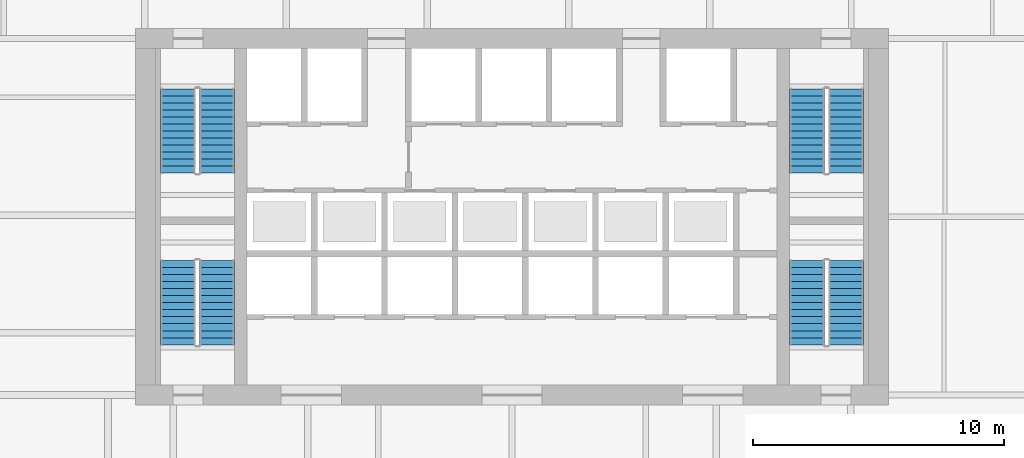
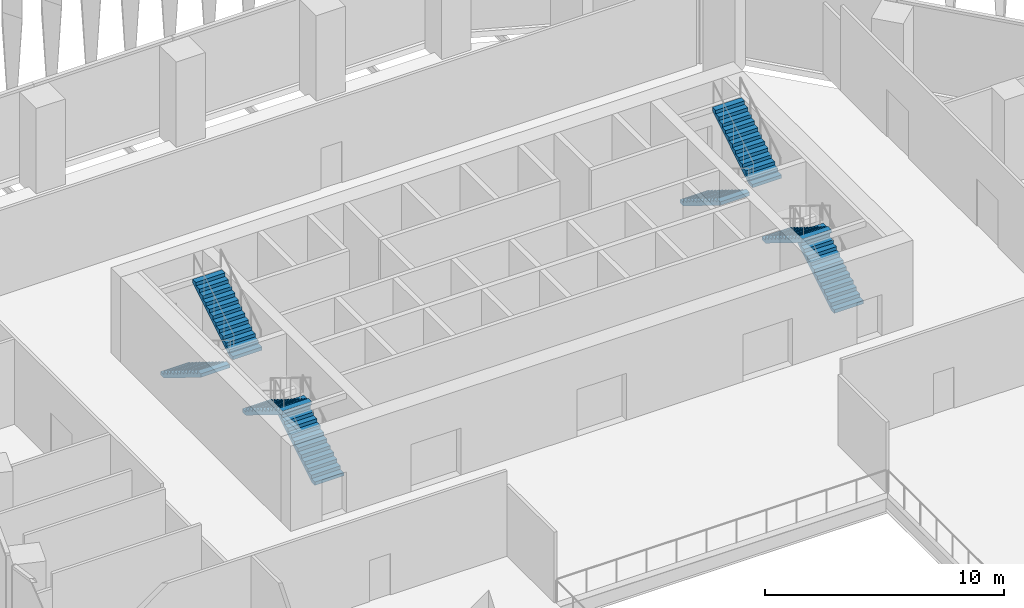
# One storey, part 16 of 27: 8 stair flights, 4 elements without a shape of their own.
"""IFC4 building model written with IfcOpenShell, lengths in metres."""

import ifcopenshell
import ifcopenshell.guid

model = None  # the IFC model being written
_history = None  # IfcOwnerHistory: only IFC2X3 demands one
_inside = {}  # id of a spatial element -> (the spatial element, [elements in it])
_under = {}  # id of a project, library or spatial element -> (it, [spatial elements below it])
_declared = {}  # id of a project -> (the project, [libraries it declares])
_typed = {}  # id of a type object -> (the type object, [elements of that type])
_made_of = {}  # id of a material, layer set ... -> (it, [elements and type objects made of it])


def new_model(schema):
    """Start an empty IFC model of exactly this schema.

    Asked for "IFC4X3", IfcOpenShell would pick the latest addendum, in which some entities
    have other attributes; the version numbers below select the first issue.
    IFC2X3 requires an IfcOwnerHistory on every rooted entity: one is made here for all.
    """
    global model, _history
    if schema == "IFC4X3":
        model = ifcopenshell.file(schema_version=(4, 3, 0, 0))
    else:
        model = ifcopenshell.file(schema=schema)
    _inside.clear()
    _under.clear()
    _declared.clear()
    _typed.clear()
    _made_of.clear()
    _history = None
    if model.schema == "IFC2X3":
        org = make("IfcOrganization", Name="unknown")
        user = make(
            "IfcPersonAndOrganization",
            ThePerson=make("IfcPerson", FamilyName="unknown"),
            TheOrganization=org,
        )
        app = make(
            "IfcApplication",
            ApplicationDeveloper=org,
            Version="unknown",
            ApplicationFullName="unknown",
            ApplicationIdentifier="unknown",
        )
        _history = make(
            "IfcOwnerHistory",
            OwningUser=user,
            OwningApplication=app,
            ChangeAction="ADDED",
            CreationDate=0,
        )
    return model


def make(cls, **values):
    """One entity of the class cls with the attributes given. An attribute that is None is left unset."""
    return model.create_entity(
        cls, **{name: value for name, value in values.items() if value is not None}
    )


def rooted(cls, **values):
    """An entity with a GlobalId (a new one), such as an element, a storey or a relation."""
    return make(cls, GlobalId=ifcopenshell.guid.new(), OwnerHistory=_history, **values)


def si_unit(unit_type, name, prefix=None):
    """IfcSIUnit, for example si_unit("LENGTHUNIT", "METRE", prefix="MILLI")."""
    return make("IfcSIUnit", UnitType=unit_type, Prefix=prefix, Name=name)


def assignment(units):
    """IfcUnitAssignment: the units of a project."""
    return None if units is None else make("IfcUnitAssignment", Units=units)


def point(xyz):
    """IfcCartesianPoint."""
    return None if xyz is None else make("IfcCartesianPoint", Coordinates=xyz)


def direction(xyz):
    """IfcDirection."""
    return None if xyz is None else make("IfcDirection", DirectionRatios=xyz)


def frame(location, z_axis=None, x_axis=None):
    """IfcAxis2Placement3D, a coordinate frame: its origin and axes. An axis left out is left unset."""
    return make(
        "IfcAxis2Placement3D",
        Location=point(location),
        Axis=direction(z_axis),
        RefDirection=direction(x_axis),
    )


def origin():
    """The frame at (0, 0, 0) with its axes left unset."""
    return frame((0.0, 0.0, 0.0))


def place(relative_to, where):
    """IfcLocalPlacement: puts the frame where relative to a parent placement (None: the world)."""
    return make(
        "IfcLocalPlacement", PlacementRelTo=relative_to, RelativePlacement=where
    )


def context(
    kind, dimensions, precision=None, world=None, true_north=None, identifier=None
):
    """IfcGeometricRepresentationContext, for example the 3D "Model" context."""
    return make(
        "IfcGeometricRepresentationContext",
        ContextIdentifier=identifier,
        ContextType=kind,
        CoordinateSpaceDimension=dimensions,
        Precision=precision,
        WorldCoordinateSystem=world,
        TrueNorth=true_north,
    )


def subcontext(parent, identifier, kind, view, scale=None):
    """IfcGeometricRepresentationSubContext, for example "Body" below "Model"."""
    return make(
        "IfcGeometricRepresentationSubContext",
        ContextIdentifier=identifier,
        ContextType=kind,
        ParentContext=parent,
        TargetScale=scale,
        TargetView=view,
    )


def project(units=None, contexts=None):
    """IfcProject with its units and contexts."""
    return rooted(
        "IfcProject",
        Name="project",
        RepresentationContexts=contexts,
        UnitsInContext=assignment(units),
    )


def spatial(cls, under=None, at=None, **own):
    """A site, building, storey or space (cls), placed at a placement, below another one or the project."""
    s = rooted(cls, ObjectPlacement=at, **own)
    if under is not None:
        _under.setdefault(under.id(), (under, []))[1].append(s)
    return s


def polyline(points):
    """IfcPolyline through the points."""
    return make("IfcPolyline", Points=[point(p) for p in points])


def outline(outer, holes=None, kind="AREA"):
    """IfcArbitraryClosedProfileDef: a profile drawn as a closed curve; with holes, ...WithVoids."""
    if holes is None:
        return make("IfcArbitraryClosedProfileDef", ProfileType=kind, OuterCurve=outer)
    return make(
        "IfcArbitraryProfileDefWithVoids",
        ProfileType=kind,
        OuterCurve=outer,
        InnerCurves=holes,
    )


def extrude(swept, where, along, depth):
    """IfcExtrudedAreaSolid: the profile swept, set in the frame where, extruded along a direction by depth."""
    return make(
        "IfcExtrudedAreaSolid",
        SweptArea=swept,
        Position=where,
        ExtrudedDirection=direction(along),
        Depth=depth,
    )


def shape(context_of_items, identifier, shape_type, items):
    """IfcShapeRepresentation: the items that make up one representation, for example the "Body"."""
    return make(
        "IfcShapeRepresentation",
        ContextOfItems=context_of_items,
        RepresentationIdentifier=identifier,
        RepresentationType=shape_type,
        Items=items,
    )


def material(Name=None, Category=None):
    """IfcMaterial."""
    return make("IfcMaterial", Name=Name, Category=Category)


def made_of(thing, what):
    """Note that an element or type object is made of a material, layer set ...; save() writes the relation."""
    if what is not None:
        _made_of.setdefault(what.id(), (what, []))[1].append(thing)
    return thing


def type_object(cls, material=None, **own):
    """A type object (cls), such as IfcWallType, which elements share."""
    return made_of(rooted(cls, **own), material)


def element(
    cls,
    number,
    at=None,
    inside=None,
    cuts=None,
    type_object=None,
    material=None,
    context=None,
    identifier="Body",
    shape_type=None,
    held_by="IfcProductDefinitionShape",
    body=None,
    shapes=None,
    **own,
):
    """One element of the class cls, such as IfcWall. Its Tag is "e" and its number.

    at: its placement. inside: the storey or other place that contains it. cuts: it is an
    opening in that element (IfcRelVoidsElement). A single representation is given by context,
    identifier, shape_type and body (its items); several are given by shapes. held_by: the class
    of the entity that holds the representations. save() writes the other relations.
    """
    e = rooted(cls, Tag="e%d" % number, ObjectPlacement=at, **own)
    if body is not None:
        shapes = [shape(context, identifier, shape_type, body)]
    if shapes is not None:
        e.Representation = make(held_by, Representations=shapes)
    if inside is not None:
        _inside.setdefault(inside.id(), (inside, []))[1].append(e)
    if cuts is not None:
        rooted(
            "IfcRelVoidsElement", RelatingBuildingElement=cuts, RelatedOpeningElement=e
        )
    if type_object is not None:
        _typed.setdefault(type_object.id(), (type_object, []))[1].append(e)
    return made_of(e, material)


def aggregate(whole, parts):
    """IfcRelAggregates: a whole, such as a stair, and the parts it consists of."""
    return rooted("IfcRelAggregates", RelatingObject=whole, RelatedObjects=parts)


def save(model, path):
    """Write the relations noted so far, then the file.

    IfcRelAggregates (storeys below a building ...), IfcRelContainedInSpatialStructure (elements
    in a storey), IfcRelDefinesByType, IfcRelAssociatesMaterial and IfcRelDeclares: one each for
    every whole, place, type object, material and project.
    """
    for whole, parts in _under.values():
        aggregate(whole, parts)
    for where, things in _inside.values():
        rooted(
            "IfcRelContainedInSpatialStructure",
            RelatedElements=things,
            RelatingStructure=where,
        )
    for kind, things in _typed.values():
        rooted("IfcRelDefinesByType", RelatedObjects=things, RelatingType=kind)
    for what, things in _made_of.values():
        rooted("IfcRelAssociatesMaterial", RelatedObjects=things, RelatingMaterial=what)
    for by, libraries in _declared.values():
        rooted("IfcRelDeclares", RelatingContext=by, RelatedDefinitions=libraries)
    model.write(path)


model = new_model("IFC4")

# Units and contexts
model_context = context("Model", 3, precision=1e-05, world=origin(), true_north=direction((0.0, 1.0)))
body_context = subcontext(model_context, "Body", "Model", "MODEL_VIEW")
ifc_project = project(units=[si_unit("LENGTHUNIT", "METRE"), si_unit("AREAUNIT", "SQUARE_METRE"), si_unit("VOLUMEUNIT", "CUBIC_METRE"), si_unit("PLANEANGLEUNIT", "RADIAN"), si_unit("MASSUNIT", "GRAM", prefix="KILO")], contexts=[model_context])

# Site, building, storey
site_placement = place(None, origin())
site = spatial("IfcSite", under=ifc_project, at=site_placement, CompositionType="ELEMENT")
building_placement = place(site_placement, origin())
building = spatial("IfcBuilding", under=site, at=building_placement, Name="Isthmus Gate Tower", CompositionType="ELEMENT")
storey_placement = place(building_placement, frame((0.0, 0.0, 121.64990234375)))
storey = spatial("IfcBuildingStorey", under=building, at=storey_placement, Name="L29", CompositionType="ELEMENT", Elevation=121.64990234375)

# Stair, stair flights
ifc_material_1 = material(Name="Concrete f'c 40 MPa", Category="concrete")
stair_type = type_object("IfcStairType", Name="CORE STAIR 26 RISERS", PredefinedType="HALF_TURN_STAIR", material=ifc_material_1)
stair_1_placement = place(storey_placement, origin())
stair_1 = element("IfcStair", 1, at=stair_1_placement, inside=storey, type_object=stair_type, Name="L29 Exit Stair 1", PredefinedType="HALF_TURN_STAIR")
ifc_material_2 = material(Name="Concrete f'c 40 MPa", Category="concrete")
stair_flight_type = type_object("IfcStairFlightType", Name="STAIR FLIGHT RC 1400", PredefinedType="STRAIGHT", material=ifc_material_2)
stair_flight_1_placement = place(storey_placement, frame((-13.300048828125, 12.60009765625, 0.0), z_axis=(0.0, 0.0, 1.0), x_axis=(0.0, -1.0, 0.0)))
stair_flight_1 = element("IfcStairFlight", 2, at=stair_flight_1_placement, type_object=stair_flight_type, Name="ST1 flight 1", NumberOfRisers=13, NumberOfTreads=12, PredefinedType="STRAIGHT", RiserHeight=0.173076923, TreadLength=0.28, context=body_context, shape_type="SweptSolid", body=[
    extrude(outline(polyline([(0.0, 0.0), (0.0, 0.173095703125), (0.280029296875, 0.173095703125), (0.280029296875, 0.34619140625), (0.56005859375, 0.34619140625), (0.56005859375, 0.519287109375), (0.840087890625, 0.519287109375), (0.840087890625, 0.6923828125), (1.1201171875, 0.6923828125), (1.1201171875, 0.865478515625), (1.39990234375, 0.865478515625), (1.39990234375, 1.03857421875), (1.679931640625, 1.03857421875), (1.679931640625, 1.21142578125), (1.9599609375, 1.21142578125), (1.9599609375, 1.384521484375), (2.239990234375, 1.384521484375), (2.239990234375, 1.5576171875), (2.52001953125, 1.5576171875), (2.52001953125, 1.730712890625), (2.800048828125, 1.730712890625), (2.800048828125, 1.90380859375), (3.080078125, 1.90380859375), (3.080078125, 2.076904296875), (3.360107421875, 2.076904296875), (3.360107421875, 2.25), (3.360107421875, 1.900634765625), (0.28515625, 0.0), (0.0, 0.0)])), frame((0.0, 0.699951171875, 0.0), z_axis=(0.0, -1.0, 0.0), x_axis=(1.0, 0.0, 0.0)), (0.0, 0.0, 1.0), 1.39990234375),
])
stair_flight_2_placement = place(storey_placement, frame((-11.75, 9.239990234375, 2.25), z_axis=(0.0, 0.0, 1.0), x_axis=(0.0, 1.0, 0.0)))
stair_flight_2 = element("IfcStairFlight", 3, at=stair_flight_2_placement, type_object=stair_flight_type, Name="ST1 flight 2", NumberOfRisers=13, NumberOfTreads=12, PredefinedType="STRAIGHT", RiserHeight=0.173076923, TreadLength=0.28, context=body_context, shape_type="SweptSolid", body=[
    extrude(outline(polyline([(0.0, 0.0), (0.0, 0.173095703125), (0.280029296875, 0.173095703125), (0.280029296875, 0.34619140625), (0.56005859375, 0.34619140625), (0.56005859375, 0.519287109375), (0.840087890625, 0.519287109375), (0.840087890625, 0.6923828125), (1.1201171875, 0.6923828125), (1.1201171875, 0.865478515625), (1.39990234375, 0.865478515625), (1.39990234375, 1.03857421875), (1.679931640625, 1.03857421875), (1.679931640625, 1.21142578125), (1.9599609375, 1.21142578125), (1.9599609375, 1.384521484375), (2.239990234375, 1.384521484375), (2.239990234375, 1.5576171875), (2.52001953125, 1.5576171875), (2.52001953125, 1.730712890625), (2.800048828125, 1.730712890625), (2.800048828125, 1.90380859375), (3.080078125, 1.90380859375), (3.080078125, 2.076904296875), (3.360107421875, 2.076904296875), (3.360107421875, 2.25), (3.360107421875, 1.900634765625), (0.28515625, 0.0), (0.0, 0.0)])), frame((0.0, 0.699951171875, 0.0), z_axis=(0.0, -1.0, 0.0), x_axis=(1.0, 0.0, 0.0)), (0.0, 0.0, 1.0), 1.39990234375),
])
aggregate(stair_1, [stair_flight_1, stair_flight_2])

stair_2_placement = place(storey_placement, origin())
stair_2 = element("IfcStair", 4, at=stair_2_placement, inside=storey, type_object=stair_type, Name="L29 Exit Stair 2", PredefinedType="HALF_TURN_STAIR")
stair_flight_3_placement = place(storey_placement, frame((11.75, 12.60009765625, 0.0), z_axis=(0.0, 0.0, 1.0), x_axis=(0.0, -1.0, 0.0)))
stair_flight_3 = element("IfcStairFlight", 5, at=stair_flight_3_placement, type_object=stair_flight_type, Name="ST2 flight 1", NumberOfRisers=13, NumberOfTreads=12, PredefinedType="STRAIGHT", RiserHeight=0.173076923, TreadLength=0.28, context=body_context, shape_type="SweptSolid", body=[
    extrude(outline(polyline([(0.0, 0.0), (0.0, 0.173095703125), (0.280029296875, 0.173095703125), (0.280029296875, 0.34619140625), (0.56005859375, 0.34619140625), (0.56005859375, 0.519287109375), (0.840087890625, 0.519287109375), (0.840087890625, 0.6923828125), (1.1201171875, 0.6923828125), (1.1201171875, 0.865478515625), (1.39990234375, 0.865478515625), (1.39990234375, 1.03857421875), (1.679931640625, 1.03857421875), (1.679931640625, 1.21142578125), (1.9599609375, 1.21142578125), (1.9599609375, 1.384521484375), (2.239990234375, 1.384521484375), (2.239990234375, 1.5576171875), (2.52001953125, 1.5576171875), (2.52001953125, 1.730712890625), (2.800048828125, 1.730712890625), (2.800048828125, 1.90380859375), (3.080078125, 1.90380859375), (3.080078125, 2.076904296875), (3.360107421875, 2.076904296875), (3.360107421875, 2.25), (3.360107421875, 1.900634765625), (0.28515625, 0.0), (0.0, 0.0)])), frame((0.0, 0.699951171875, 0.0), z_axis=(0.0, -1.0, 0.0), x_axis=(1.0, 0.0, 0.0)), (0.0, 0.0, 1.0), 1.39990234375),
])
stair_flight_4_placement = place(storey_placement, frame((13.300048828125, 9.239990234375, 2.25), z_axis=(0.0, 0.0, 1.0), x_axis=(0.0, 1.0, 0.0)))
stair_flight_4 = element("IfcStairFlight", 6, at=stair_flight_4_placement, type_object=stair_flight_type, Name="ST2 flight 2", NumberOfRisers=13, NumberOfTreads=12, PredefinedType="STRAIGHT", RiserHeight=0.173076923, TreadLength=0.28, context=body_context, shape_type="SweptSolid", body=[
    extrude(outline(polyline([(0.0, 0.0), (0.0, 0.173095703125), (0.280029296875, 0.173095703125), (0.280029296875, 0.34619140625), (0.56005859375, 0.34619140625), (0.56005859375, 0.519287109375), (0.840087890625, 0.519287109375), (0.840087890625, 0.6923828125), (1.1201171875, 0.6923828125), (1.1201171875, 0.865478515625), (1.39990234375, 0.865478515625), (1.39990234375, 1.03857421875), (1.679931640625, 1.03857421875), (1.679931640625, 1.21142578125), (1.9599609375, 1.21142578125), (1.9599609375, 1.384521484375), (2.239990234375, 1.384521484375), (2.239990234375, 1.5576171875), (2.52001953125, 1.5576171875), (2.52001953125, 1.730712890625), (2.800048828125, 1.730712890625), (2.800048828125, 1.90380859375), (3.080078125, 1.90380859375), (3.080078125, 2.076904296875), (3.360107421875, 2.076904296875), (3.360107421875, 2.25), (3.360107421875, 1.900634765625), (0.28515625, 0.0), (0.0, 0.0)])), frame((0.0, 0.699951171875, 0.0), z_axis=(0.0, -1.0, 0.0), x_axis=(1.0, 0.0, 0.0)), (0.0, 0.0, 1.0), 1.39990234375),
])
aggregate(stair_2, [stair_flight_3, stair_flight_4])

stair_3_placement = place(storey_placement, origin())
stair_3 = element("IfcStair", 7, at=stair_3_placement, inside=storey, type_object=stair_type, Name="L29 Exit Stair 7", PredefinedType="HALF_TURN_STAIR")
stair_flight_5_placement = place(storey_placement, frame((-11.75, 2.39990234375, 0.0), z_axis=(0.0, 0.0, 1.0), x_axis=(0.0, 1.0, 0.0)))
stair_flight_5 = element("IfcStairFlight", 8, at=stair_flight_5_placement, type_object=stair_flight_type, Name="ST7 flight 1", NumberOfRisers=13, NumberOfTreads=12, PredefinedType="STRAIGHT", RiserHeight=0.173076923, TreadLength=0.28, context=body_context, shape_type="SweptSolid", body=[
    extrude(outline(polyline([(0.0, 0.0), (0.0, 0.173095703125), (0.280029296875, 0.173095703125), (0.280029296875, 0.34619140625), (0.56005859375, 0.34619140625), (0.56005859375, 0.519287109375), (0.840087890625, 0.519287109375), (0.840087890625, 0.6923828125), (1.1201171875, 0.6923828125), (1.1201171875, 0.865478515625), (1.39990234375, 0.865478515625), (1.39990234375, 1.03857421875), (1.679931640625, 1.03857421875), (1.679931640625, 1.21142578125), (1.9599609375, 1.21142578125), (1.9599609375, 1.384521484375), (2.239990234375, 1.384521484375), (2.239990234375, 1.5576171875), (2.52001953125, 1.5576171875), (2.52001953125, 1.730712890625), (2.800048828125, 1.730712890625), (2.800048828125, 1.90380859375), (3.080078125, 1.90380859375), (3.080078125, 2.076904296875), (3.360107421875, 2.076904296875), (3.360107421875, 2.25), (3.360107421875, 1.900634765625), (0.28515625, 0.0), (0.0, 0.0)])), frame((0.0, 0.699951171875, 0.0), z_axis=(0.0, -1.0, 0.0), x_axis=(1.0, 0.0, 0.0)), (0.0, 0.0, 1.0), 1.39990234375),
])
stair_flight_6_placement = place(storey_placement, frame((-13.300048828125, 5.760009765625, 2.25), z_axis=(0.0, 0.0, 1.0), x_axis=(0.0, -1.0, 0.0)))
stair_flight_6 = element("IfcStairFlight", 9, at=stair_flight_6_placement, type_object=stair_flight_type, Name="ST7 flight 2", NumberOfRisers=13, NumberOfTreads=12, PredefinedType="STRAIGHT", RiserHeight=0.173076923, TreadLength=0.28, context=body_context, shape_type="SweptSolid", body=[
    extrude(outline(polyline([(0.0, 0.0), (0.0, 0.173095703125), (0.280029296875, 0.173095703125), (0.280029296875, 0.34619140625), (0.56005859375, 0.34619140625), (0.56005859375, 0.519287109375), (0.840087890625, 0.519287109375), (0.840087890625, 0.6923828125), (1.1201171875, 0.6923828125), (1.1201171875, 0.865478515625), (1.39990234375, 0.865478515625), (1.39990234375, 1.03857421875), (1.679931640625, 1.03857421875), (1.679931640625, 1.21142578125), (1.9599609375, 1.21142578125), (1.9599609375, 1.384521484375), (2.239990234375, 1.384521484375), (2.239990234375, 1.5576171875), (2.52001953125, 1.5576171875), (2.52001953125, 1.730712890625), (2.800048828125, 1.730712890625), (2.800048828125, 1.90380859375), (3.080078125, 1.90380859375), (3.080078125, 2.076904296875), (3.360107421875, 2.076904296875), (3.360107421875, 2.25), (3.360107421875, 1.900634765625), (0.28515625, 0.0), (0.0, 0.0)])), frame((0.0, 0.699951171875, 0.0), z_axis=(0.0, -1.0, 0.0), x_axis=(1.0, 0.0, 0.0)), (0.0, 0.0, 1.0), 1.39990234375),
])
aggregate(stair_3, [stair_flight_5, stair_flight_6])

stair_4_placement = place(storey_placement, origin())
stair_4 = element("IfcStair", 10, at=stair_4_placement, inside=storey, type_object=stair_type, Name="L29 Exit Stair 8", PredefinedType="HALF_TURN_STAIR")
stair_flight_7_placement = place(storey_placement, frame((13.300048828125, 2.39990234375, 0.0), z_axis=(0.0, 0.0, 1.0), x_axis=(0.0, 1.0, 0.0)))
stair_flight_7 = element("IfcStairFlight", 11, at=stair_flight_7_placement, type_object=stair_flight_type, Name="ST8 flight 1", NumberOfRisers=13, NumberOfTreads=12, PredefinedType="STRAIGHT", RiserHeight=0.173076923, TreadLength=0.28, context=body_context, shape_type="SweptSolid", body=[
    extrude(outline(polyline([(0.0, 0.0), (0.0, 0.173095703125), (0.280029296875, 0.173095703125), (0.280029296875, 0.34619140625), (0.56005859375, 0.34619140625), (0.56005859375, 0.519287109375), (0.840087890625, 0.519287109375), (0.840087890625, 0.6923828125), (1.1201171875, 0.6923828125), (1.1201171875, 0.865478515625), (1.39990234375, 0.865478515625), (1.39990234375, 1.03857421875), (1.679931640625, 1.03857421875), (1.679931640625, 1.21142578125), (1.9599609375, 1.21142578125), (1.9599609375, 1.384521484375), (2.239990234375, 1.384521484375), (2.239990234375, 1.5576171875), (2.52001953125, 1.5576171875), (2.52001953125, 1.730712890625), (2.800048828125, 1.730712890625), (2.800048828125, 1.90380859375), (3.080078125, 1.90380859375), (3.080078125, 2.076904296875), (3.360107421875, 2.076904296875), (3.360107421875, 2.25), (3.360107421875, 1.900634765625), (0.28515625, 0.0), (0.0, 0.0)])), frame((0.0, 0.699951171875, 0.0), z_axis=(0.0, -1.0, 0.0), x_axis=(1.0, 0.0, 0.0)), (0.0, 0.0, 1.0), 1.39990234375),
])
stair_flight_8_placement = place(storey_placement, frame((11.75, 5.760009765625, 2.25), z_axis=(0.0, 0.0, 1.0), x_axis=(0.0, -1.0, 0.0)))
stair_flight_8 = element("IfcStairFlight", 12, at=stair_flight_8_placement, type_object=stair_flight_type, Name="ST8 flight 2", NumberOfRisers=13, NumberOfTreads=12, PredefinedType="STRAIGHT", RiserHeight=0.173076923, TreadLength=0.28, context=body_context, shape_type="SweptSolid", body=[
    extrude(outline(polyline([(0.0, 0.0), (0.0, 0.173095703125), (0.280029296875, 0.173095703125), (0.280029296875, 0.34619140625), (0.56005859375, 0.34619140625), (0.56005859375, 0.519287109375), (0.840087890625, 0.519287109375), (0.840087890625, 0.6923828125), (1.1201171875, 0.6923828125), (1.1201171875, 0.865478515625), (1.39990234375, 0.865478515625), (1.39990234375, 1.03857421875), (1.679931640625, 1.03857421875), (1.679931640625, 1.21142578125), (1.9599609375, 1.21142578125), (1.9599609375, 1.384521484375), (2.239990234375, 1.384521484375), (2.239990234375, 1.5576171875), (2.52001953125, 1.5576171875), (2.52001953125, 1.730712890625), (2.800048828125, 1.730712890625), (2.800048828125, 1.90380859375), (3.080078125, 1.90380859375), (3.080078125, 2.076904296875), (3.360107421875, 2.076904296875), (3.360107421875, 2.25), (3.360107421875, 1.900634765625), (0.28515625, 0.0), (0.0, 0.0)])), frame((0.0, 0.699951171875, 0.0), z_axis=(0.0, -1.0, 0.0), x_axis=(1.0, 0.0, 0.0)), (0.0, 0.0, 1.0), 1.39990234375),
])
aggregate(stair_4, [stair_flight_7, stair_flight_8])

save(model, "model.ifc")
